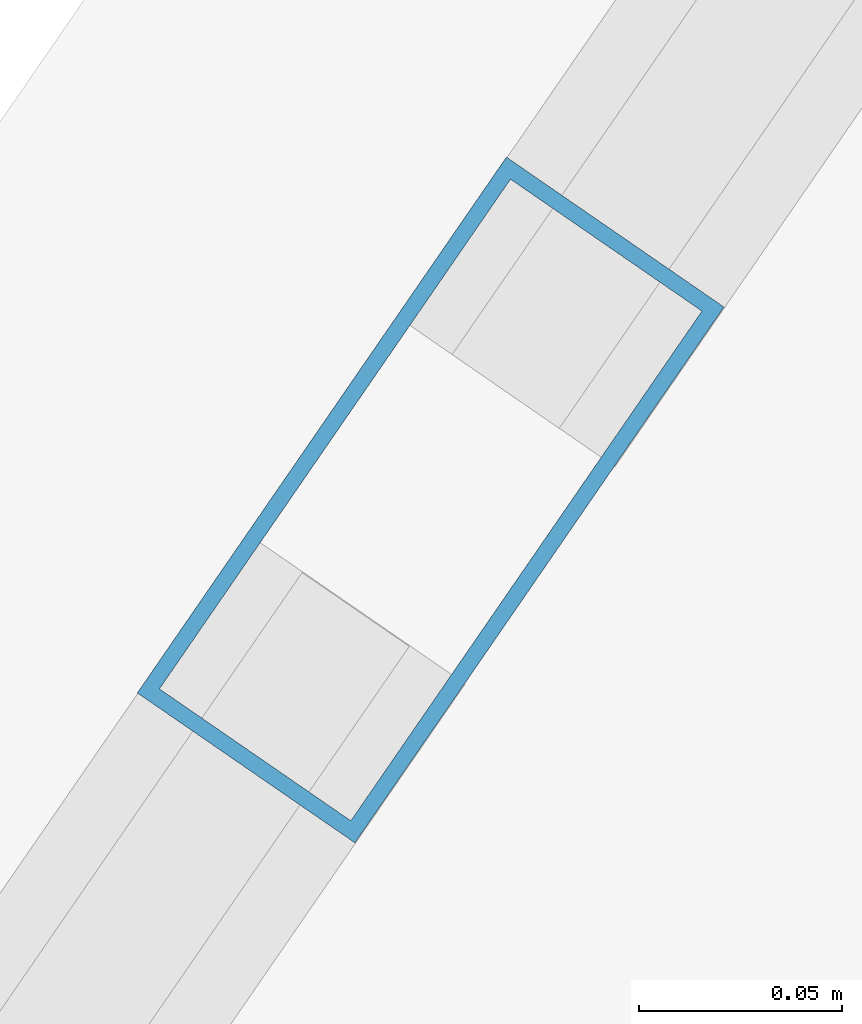
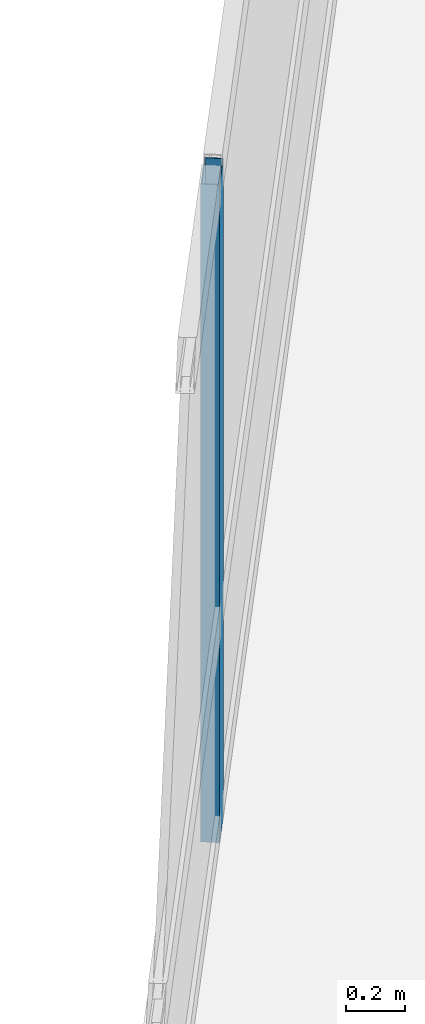
# One storey, part 14 of 26: 1 member, 1 element without a shape of its own.
"""IFC4 building model written with IfcOpenShell, lengths in metres."""

from ifc_helpers import new_model, si_unit, direction, frame, origin, origin_2d, place, context, subcontext, project, spatial, hollow_rectangle, extrude, material, layer, layer_set, material_profile, profile_set, type_object, element, aggregate, save


model = new_model("IFC4")

# Units and contexts
model_context = context("Model", 3, precision=1e-05, world=origin(), true_north=direction((0.0, 1.0)))
body_context = subcontext(model_context, "Body", "Model", "MODEL_VIEW")
ifc_project = project(units=[si_unit("LENGTHUNIT", "METRE"), si_unit("AREAUNIT", "SQUARE_METRE"), si_unit("VOLUMEUNIT", "CUBIC_METRE"), si_unit("PLANEANGLEUNIT", "RADIAN"), si_unit("MASSUNIT", "GRAM", prefix="KILO")], contexts=[model_context])

# Site, building, storey
site_placement = place(None, origin())
site = spatial("IfcSite", under=ifc_project, at=site_placement, CompositionType="ELEMENT")
building_placement = place(site_placement, origin())
building = spatial("IfcBuilding", under=site, at=building_placement, Name="Varnelok Gate Tower", CompositionType="ELEMENT")
storey_placement = place(building_placement, frame((0.0, 0.0, 27.0)))
storey = spatial("IfcBuildingStorey", under=building, at=storey_placement, Name="L05", CompositionType="ELEMENT", Elevation=27.0)

# Curtain wall, member
ifc_material = material(Name="Anodized Aluminum Alloy 6063-T6", Category="aluminium")
ifc_layer = layer(ifc_material, 0.179931640625)
ifc_layer_set = layer_set([ifc_layer], Name="Anodized Aluminum Alloy 6063-T6")
curtain_wall_type = type_object("IfcCurtainWallType", Name="CW3-HOTEL-VISION", PredefinedType="USERDEFINED", material=ifc_layer_set)
curtain_wall_placement = place(storey_placement, origin())
curtain_wall = element("IfcCurtainWall", 1, at=curtain_wall_placement, inside=storey, type_object=curtain_wall_type, Name="L05 West End Vision Curtain Wall", ObjectType="UNITISED CURTAIN WALL", PredefinedType="USERDEFINED")
ifc_material_profile = material_profile(ifc_material, hollow_rectangle(XDim=0.06494140625, YDim=0.159912109375, WallThickness=0.00390625, at=origin_2d()), Name="ALU160X65X4")
ifc_profile_set = profile_set([ifc_material_profile], Name="Anodized Aluminum Alloy 6063-T6")
member_type = type_object("IfcMemberType", Name="CW-MULL-160", PredefinedType="MULLION", material=ifc_profile_set)
member_placement = place(storey_placement, frame((10.7578125, 52.865478515625, 0.0), z_axis=(0.0, 0.0, 1.0), x_axis=(-0.823532685111, 0.567268822124, 0.0)))
member = element("IfcMember", 2, at=member_placement, type_object=member_type, Name="CW3 mullion 5", PredefinedType="MULLION", context=body_context, shape_type="SweptSolid", body=[
    extrude(hollow_rectangle(XDim=0.06494140625, YDim=0.159912109375, WallThickness=0.00390625, at=origin_2d()), origin(), (0.0, 0.0, 1.0), 2.72998046875),
])
aggregate(curtain_wall, [member])

save(model, "model.ifc")
